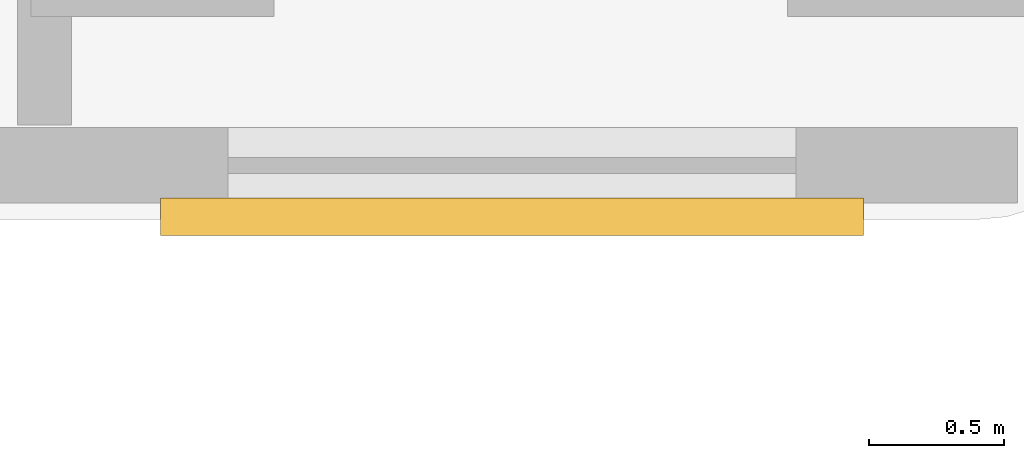
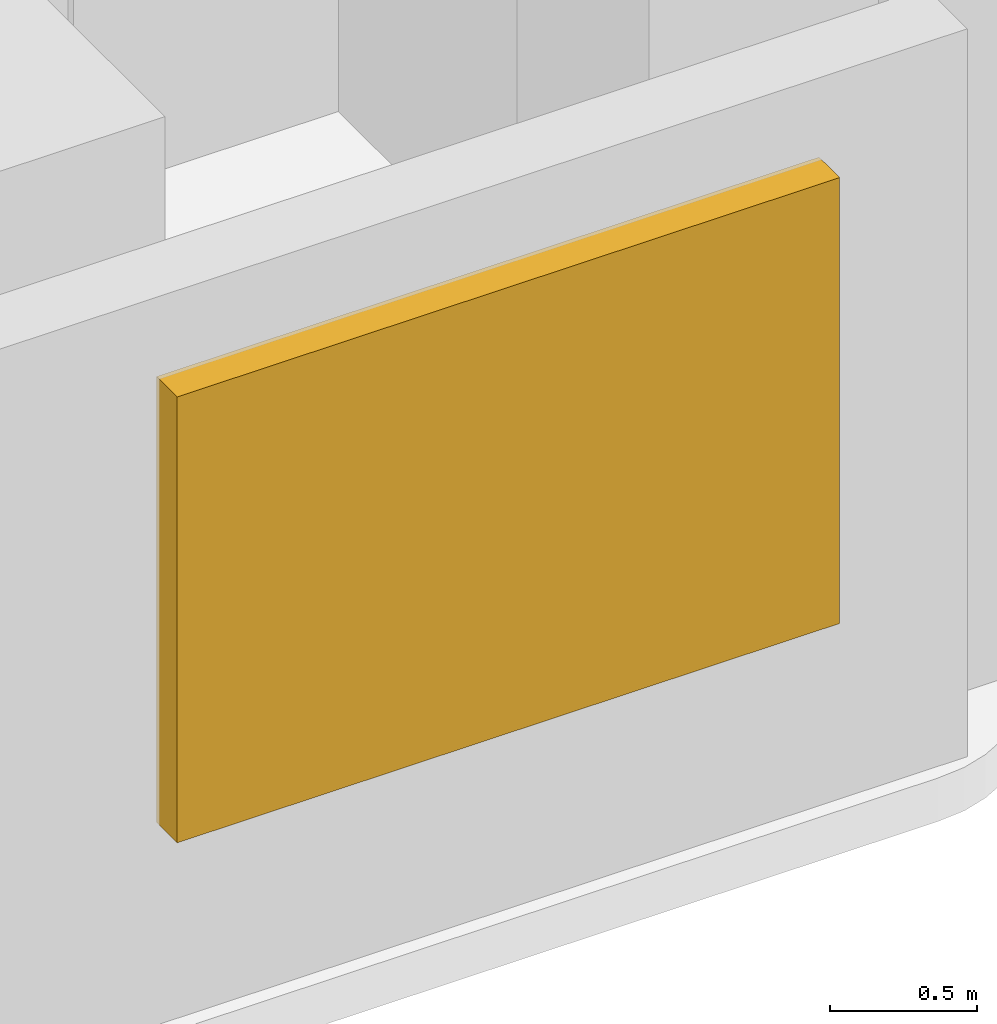
# One storey, part 7 of 7: 1 shading device.
"""IFC4 building model written with IfcOpenShell, lengths in metres."""

from ifc_helpers import new_model, si_unit, direction, frame, origin, origin_2d, place, context, subcontext, project, spatial, rectangle, extrude, material, type_object, element, save


model = new_model("IFC4")

# Units and contexts
model_context = context("Model", 3, precision=1e-05, world=origin(), true_north=direction((0.0, 1.0)))
body_context = subcontext(model_context, "Body", "Model", "MODEL_VIEW")
ifc_project = project(units=[si_unit("LENGTHUNIT", "METRE"), si_unit("AREAUNIT", "SQUARE_METRE"), si_unit("VOLUMEUNIT", "CUBIC_METRE"), si_unit("PLANEANGLEUNIT", "RADIAN"), si_unit("MASSUNIT", "GRAM", prefix="KILO")], contexts=[model_context])

# Site, building, storey
site_placement = place(None, origin())
site = spatial("IfcSite", under=ifc_project, at=site_placement, CompositionType="ELEMENT")
building_placement = place(site_placement, origin())
building = spatial("IfcBuilding", under=site, at=building_placement, Name="Kuzgunbayir Cultural Tower", CompositionType="ELEMENT")
storey_placement = place(building_placement, frame((0.0, 0.0, 201.60009765625)))
storey = spatial("IfcBuildingStorey", under=building, at=storey_placement, Name="L59", CompositionType="ELEMENT", Elevation=201.60009765625)

# Shading device
ifc_material = material(Name="Perforated Bronze-Anodised Aluminium", Category="aluminium")
shading_device_type = type_object("IfcShadingDeviceType", Name="SHD-SOLAR-BRONZE", PredefinedType="JALOUSIE", material=ifc_material)
shading_device_placement = place(storey_placement, frame((39.72998046875, 26.409912109375, 0.824951171875), z_axis=(0.0, 0.0, 1.0), x_axis=(1.0, 0.0, 0.0)))
element("IfcShadingDevice", 1, at=shading_device_placement, inside=storey, type_object=shading_device_type, Name="L59 Solar Screen WBS6", PredefinedType="JALOUSIE", context=body_context, shape_type="SweptSolid", body=[
    extrude(rectangle(XDim=2.60009765625, YDim=0.139892578125, at=origin_2d()), origin(), (0.0, 0.0, 1.0), 1.85009765625),
])

save(model, "model.ifc")
